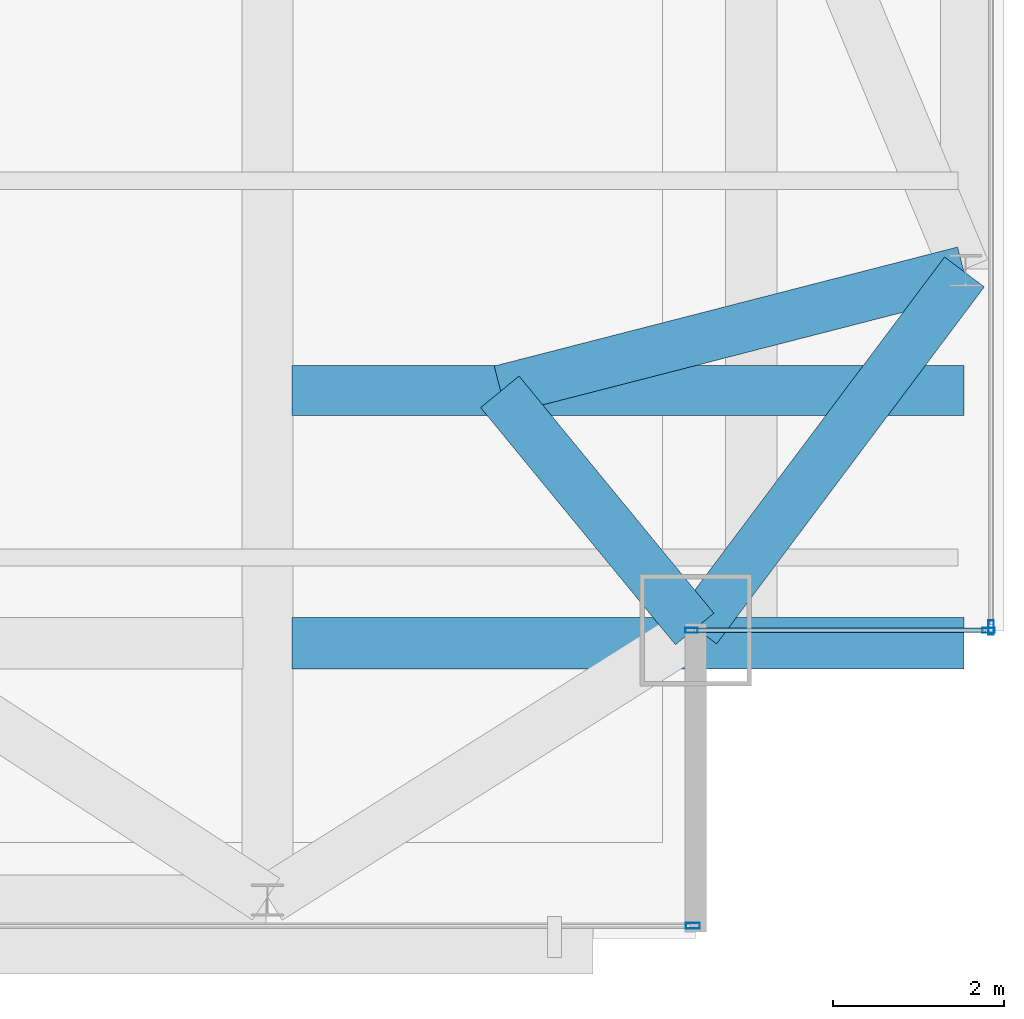
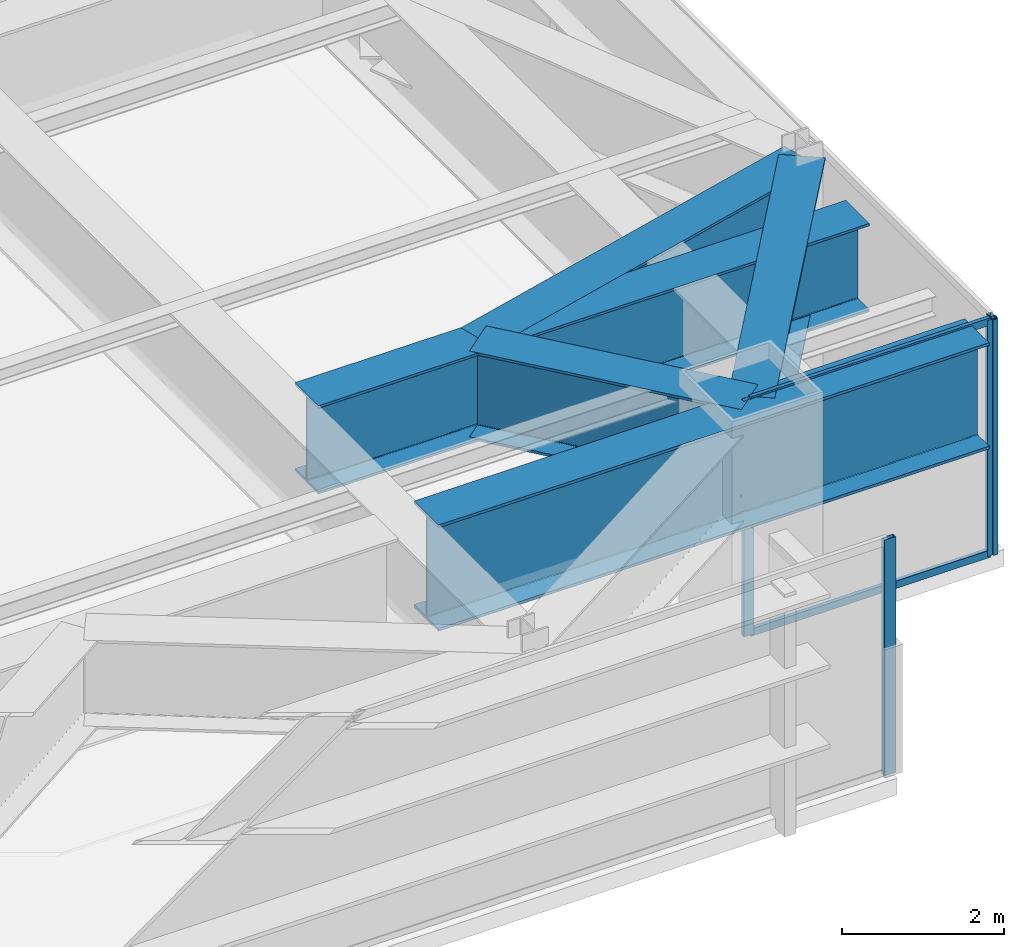
# One storey, part 15 of 26: 6 members, 5 beams, 3 elements without a shape of their own.
"""IFC4 building model written with IfcOpenShell, lengths in metres."""

from ifc_helpers import new_model, si_unit, direction, frame, origin, origin_2d, place, context, subcontext, project, spatial, hollow_rectangle, i_section, extrude, source, transform, mapped, material, layer, layer_set, material_profile, profile_set, type_object, type_shapes, element, aggregate, save


model = new_model("IFC4")

# Units and contexts
model_context = context("Model", 3, precision=1e-05, world=origin(), true_north=direction((0.0, 1.0)))
body_context = subcontext(model_context, "Body", "Model", "MODEL_VIEW")
ifc_project = project(units=[si_unit("LENGTHUNIT", "METRE"), si_unit("AREAUNIT", "SQUARE_METRE"), si_unit("VOLUMEUNIT", "CUBIC_METRE"), si_unit("PLANEANGLEUNIT", "RADIAN"), si_unit("MASSUNIT", "GRAM", prefix="KILO")], contexts=[model_context])

# Site, building, storey
site_placement = place(None, origin())
site = spatial("IfcSite", under=ifc_project, at=site_placement, CompositionType="ELEMENT")
building_placement = place(site_placement, origin())
building = spatial("IfcBuilding", under=site, at=building_placement, Name="Varnel Quay Broadcast Tower", CompositionType="ELEMENT")
storey_placement = place(building_placement, frame((0.0, 0.0, 196.0)))
storey = spatial("IfcBuildingStorey", under=building, at=storey_placement, Name="L48", CompositionType="ELEMENT", Elevation=196.0)

# Beams
ifc_material_1 = material(Name="Structural Steel CSA G40.21 350WT", Category="steel")
ifc_material_profile_1 = material_profile(ifc_material_1, i_section(OverallWidth=0.580078125, OverallDepth=1.330078125, WebThickness=0.02197265625, FlangeThickness=0.0380859375, FilletRadius=0.02001953125, at=origin_2d()), Name="WWF1330X535")
ifc_profile_set_1 = profile_set([ifc_material_profile_1], Name="Structural Steel CSA G40.21 350WT")
beam_type_1 = type_object("IfcBeamType", Name="Girder_WWF1330X535", PredefinedType="BEAM", material=ifc_profile_set_1)
shared_shape_1 = source(origin(), body_context, "Body", "SweptSolid", [
    extrude(i_section(OverallWidth=0.580078125, OverallDepth=1.330078125, WebThickness=0.02197265625, FlangeThickness=0.0380859375, FilletRadius=0.02001953125, at=origin_2d()), origin(), (0.0, 0.0, 1.0), 5.2099609375),
])
beam_1_placement = place(storey_placement, frame((57.412109375, 10.81591796875, 2.885009765625), z_axis=(0.6, 0.8, 0.0), x_axis=(-0.8, 0.6, 0.0)))
element("IfcBeam", 1, at=beam_1_placement, inside=storey, type_object=beam_type_1, Name="L48 East Transfer Spine MC-SE-TC-E1", PredefinedType="BEAM", context=body_context, shape_type="MappedRepresentation", body=[
    mapped(shared_shape_1, transform((0.0, 0.0, 0.0), x_axis=(1.0, 0.0, 0.0), y_axis=(0.0, 1.0, 0.0), z_axis=(0.0, 0.0, 1.0), scale=1.0)),
])
ifc_material_profile_2 = material_profile(ifc_material_1, i_section(OverallWidth=0.60009765625, OverallDepth=1.60009765625, WebThickness=0.02392578125, FlangeThickness=0.0419921875, FilletRadius=0.02197265625, at=origin_2d()), Name="WWF1600X620")
ifc_profile_set_2 = profile_set([ifc_material_profile_2], Name="Structural Steel CSA G40.21 350WT")
beam_type_2 = type_object("IfcBeamType", Name="Girder_WWF1600X620", PredefinedType="BEAM", material=ifc_profile_set_2)
shared_shape_2 = source(origin(), body_context, "Body", "SweptSolid", [
    extrude(i_section(OverallWidth=0.60009765625, OverallDepth=1.60009765625, WebThickness=0.02392578125, FlangeThickness=0.0419921875, FilletRadius=0.02197265625, at=origin_2d()), origin(), (0.0, 0.0, 1.0), 7.844970703125),
])
type_shapes(beam_type_2, [shared_shape_2])
beam_2_placement = place(storey_placement, frame((52.68505859375, 10.64990234375, 2.75), z_axis=(1.0, 0.0, 0.0), x_axis=(0.0, 1.0, 0.0)))
element("IfcBeam", 2, at=beam_2_placement, inside=storey, type_object=beam_type_2, Name="L48 Setback South Transfer Header 6", PredefinedType="BEAM", context=body_context, shape_type="MappedRepresentation", body=[
    mapped(shared_shape_2, transform((0.0, 0.0, 0.0), x_axis=(1.0, 0.0, 0.0), y_axis=(0.0, 1.0, 0.0), z_axis=(0.0, 0.0, 1.0), scale=1.0)),
])
shared_shape_3 = source(origin(), body_context, "Body", "SweptSolid", [
    extrude(i_section(OverallWidth=0.580078125, OverallDepth=1.330078125, WebThickness=0.02197265625, FlangeThickness=0.0380859375, FilletRadius=0.02001953125, at=origin_2d()), origin(), (0.0, 0.0, 1.0), 7.844970703125),
])
beam_3_placement = place(storey_placement, frame((52.68505859375, 13.60009765625, 2.885009765625), z_axis=(1.0, 0.0, 0.0), x_axis=(0.0, 1.0, 0.0)))
element("IfcBeam", 3, at=beam_3_placement, inside=storey, type_object=beam_type_1, Name="L48 Setback Corner South Transfer 6", PredefinedType="BEAM", context=body_context, shape_type="MappedRepresentation", body=[
    mapped(shared_shape_3, transform((0.0, 0.0, 0.0), x_axis=(1.0, 0.0, 0.0), y_axis=(0.0, 1.0, 0.0), z_axis=(0.0, 0.0, 1.0), scale=1.0)),
])
shared_shape_4 = source(origin(), body_context, "Body", "SweptSolid", [
    extrude(i_section(OverallWidth=0.580078125, OverallDepth=1.330078125, WebThickness=0.02197265625, FlangeThickness=0.0380859375, FilletRadius=0.02001953125, at=origin_2d()), origin(), (0.0, 0.0, 1.0), 3.583251953125),
])
beam_4_placement = place(storey_placement, frame((57.38720703125, 10.8154296875, 2.885009765625), z_axis=(-0.634713270454, 0.772747736528, 0.0), x_axis=(-0.772747736528, -0.634713270454, 0.0)))
element("IfcBeam", 4, at=beam_4_placement, inside=storey, type_object=beam_type_1, Name="L48 Nodal Transfer Tie MC-SE-MC-SE", PredefinedType="BEAM", context=body_context, shape_type="MappedRepresentation", body=[
    mapped(shared_shape_4, transform((0.0, 0.0, 0.0), x_axis=(1.0, 0.0, 0.0), y_axis=(0.0, 1.0, 0.0), z_axis=(0.0, 0.0, 1.0), scale=1.0)),
])
shared_shape_5 = source(origin(), body_context, "Body", "SweptSolid", [
    extrude(i_section(OverallWidth=0.580078125, OverallDepth=1.330078125, WebThickness=0.02197265625, FlangeThickness=0.0380859375, FilletRadius=0.02001953125, at=origin_2d()), origin(), (0.0, 0.0, 1.0), 5.5869140625),
])
type_shapes(beam_type_1, [shared_shape_1, shared_shape_3, shared_shape_4, shared_shape_5])
beam_5_placement = place(storey_placement, frame((60.530517578125, 14.9951171875, 2.885009765625), z_axis=(-0.968548920696, -0.248823206752, 0.0), x_axis=(0.248823206752, -0.968548920696, 0.0)))
element("IfcBeam", 5, at=beam_5_placement, inside=storey, type_object=beam_type_1, Name="L48 Nodal Transfer Tie MC-SE-TC-E1", PredefinedType="BEAM", context=body_context, shape_type="MappedRepresentation", body=[
    mapped(shared_shape_5, transform((0.0, 0.0, 0.0), x_axis=(1.0, 0.0, 0.0), y_axis=(0.0, 1.0, 0.0), z_axis=(0.0, 0.0, 1.0), scale=1.0)),
])

# Curtain wall, members
ifc_material_2 = material(Name="Anodised Bronze Aluminium 6063-T6", Category="aluminium")
ifc_layer_1 = layer(ifc_material_2, 0.18994140625, Name="Anodised Bronze Aluminium 6063-T6")
ifc_layer_set_1 = layer_set([ifc_layer_1], Name="Anodised Bronze Aluminium 6063-T6")
curtain_wall_type_1 = type_object("IfcCurtainWallType", Name="CW_NotchCorner", PredefinedType="NOTDEFINED", material=ifc_layer_set_1)
curtain_wall_1_placement = place(storey_placement, origin())
curtain_wall_1 = element("IfcCurtainWall", 6, at=curtain_wall_1_placement, inside=storey, type_object=curtain_wall_type_1, Name="L48 SE Notch Curtain Wall", PredefinedType="NOTDEFINED")
ifc_material_profile_3 = material_profile(ifc_material_2, hollow_rectangle(XDim=0.054931640625, YDim=0.110107421875, WallThickness=0.0029296875, at=origin_2d()), Name="ALU55X110X3")
ifc_profile_set_3 = profile_set([ifc_material_profile_3], Name="Anodised Bronze Aluminium 6063-T6")
member_type_1 = type_object("IfcMemberType", Name="Tran_CWS-04", PredefinedType="USERDEFINED", material=ifc_profile_set_3)
shared_shape_6 = source(origin(), body_context, "Body", "SweptSolid", [
    extrude(hollow_rectangle(XDim=0.054931640625, YDim=0.110107421875, WallThickness=0.0029296875, at=origin_2d()), origin(), (0.0, 0.0, 1.0), 3.41015625),
])
type_shapes(member_type_1, [shared_shape_6])
member_1_placement = place(storey_placement, frame((57.3798828125, 10.800048828125, 0.027587890625), z_axis=(1.0, 0.0, 0.0), x_axis=(0.0, 1.0, 0.0)))
member_1 = element("IfcMember", 7, at=member_1_placement, type_object=member_type_1, Name="CWS-04 transom 1.1", ObjectType="TRANSOM", PredefinedType="USERDEFINED", context=body_context, shape_type="MappedRepresentation", body=[
    mapped(shared_shape_6, transform((0.0, 0.0, 0.0), x_axis=(1.0, 0.0, 0.0), y_axis=(0.0, 1.0, 0.0), z_axis=(0.0, 0.0, 1.0), scale=1.0)),
])
member_2_placement = place(storey_placement, frame((57.3798828125, 10.800048828125, 3.5224609375), z_axis=(1.0, 0.0, 0.0), x_axis=(0.0, 1.0, 0.0)))
member_2 = element("IfcMember", 8, at=member_2_placement, type_object=member_type_1, Name="CWS-04 transom 1.2", ObjectType="TRANSOM", PredefinedType="USERDEFINED", context=body_context, shape_type="MappedRepresentation", body=[
    mapped(shared_shape_6, transform((0.0, 0.0, 0.0), x_axis=(1.0, 0.0, 0.0), y_axis=(0.0, 1.0, 0.0), z_axis=(0.0, 0.0, 1.0), scale=1.0)),
])
ifc_material_profile_4 = material_profile(ifc_material_2, hollow_rectangle(XDim=0.06005859375, YDim=0.14501953125, WallThickness=0.00341796875, at=origin_2d()), Name="ALU60X145X3.5")
ifc_profile_set_4 = profile_set([ifc_material_profile_4], Name="Anodised Bronze Aluminium 6063-T6")
member_type_2 = type_object("IfcMemberType", Name="Mull_CWS-04", PredefinedType="MULLION", material=ifc_profile_set_4)
shared_shape_7 = source(origin(), body_context, "Body", "SweptSolid", [
    extrude(hollow_rectangle(XDim=0.06005859375, YDim=0.14501953125, WallThickness=0.00341796875, at=origin_2d()), origin(), (0.0, 0.0, 1.0), 3.550048828125),
])
type_shapes(member_type_2, [shared_shape_7])
member_3_placement = place(storey_placement, frame((57.35009765625, 10.800048828125, 0.0), z_axis=(0.0, 0.0, 1.0), x_axis=(0.0, 1.0, 0.0)))
member_3 = element("IfcMember", 9, at=member_3_placement, type_object=member_type_2, Name="CWS-04 mullion 1", PredefinedType="MULLION", context=body_context, shape_type="MappedRepresentation", body=[
    mapped(shared_shape_7, transform((0.0, 0.0, 0.0), x_axis=(1.0, 0.0, 0.0), y_axis=(0.0, 1.0, 0.0), z_axis=(0.0, 0.0, 1.0), scale=1.0)),
])
member_4_placement = place(storey_placement, frame((60.820068359375, 10.800048828125, 0.0), z_axis=(0.0, 0.0, 1.0), x_axis=(0.0, 1.0, 0.0)))
member_4 = element("IfcMember", 10, at=member_4_placement, type_object=member_type_2, Name="CWS-04 mullion 2", PredefinedType="MULLION", context=body_context, shape_type="MappedRepresentation", body=[
    mapped(shared_shape_7, transform((0.0, 0.0, 0.0), x_axis=(1.0, 0.0, 0.0), y_axis=(0.0, 1.0, 0.0), z_axis=(0.0, 0.0, 1.0), scale=1.0)),
])
aggregate(curtain_wall_1, [member_3, member_4, member_1, member_2])

# Curtain wall, member
ifc_layer_2 = layer(ifc_material_2, 0.18994140625, Name="Anodised Bronze Aluminium 6063-T6")
ifc_layer_set_2 = layer_set([ifc_layer_2], Name="Anodised Bronze Aluminium 6063-T6")
curtain_wall_type_2 = type_object("IfcCurtainWallType", Name="CW_UpperTower", PredefinedType="NOTDEFINED", material=ifc_layer_set_2)
curtain_wall_2_placement = place(storey_placement, origin())
curtain_wall_2 = element("IfcCurtainWall", 11, at=curtain_wall_2_placement, inside=storey, type_object=curtain_wall_type_2, Name="L48 South Unitised Curtain Wall 1", PredefinedType="NOTDEFINED")
ifc_material_profile_5 = material_profile(ifc_material_2, hollow_rectangle(XDim=0.06494140625, YDim=0.1650390625, WallThickness=0.00341796875, at=origin_2d()), Name="ALU65X165X3.5")
ifc_profile_set_5 = profile_set([ifc_material_profile_5], Name="Anodised Bronze Aluminium 6063-T6")
member_type_3 = type_object("IfcMemberType", Name="Mull_CWS-03", PredefinedType="MULLION", material=ifc_profile_set_5)
shared_shape_8 = source(origin(), body_context, "Body", "SweptSolid", [
    extrude(hollow_rectangle(XDim=0.06494140625, YDim=0.1650390625, WallThickness=0.00341796875, at=origin_2d()), origin(), (0.0, 0.0, 1.0), 3.550048828125),
])
type_shapes(member_type_3, [shared_shape_8])
member_5_placement = place(storey_placement, frame((57.367431640625, 7.35009765625, 0.0), z_axis=(0.0, 0.0, 1.0), x_axis=(0.0, 1.0, 0.0)))
member_5 = element("IfcMember", 12, at=member_5_placement, type_object=member_type_3, Name="CWS-03 mullion 5", PredefinedType="MULLION", context=body_context, shape_type="MappedRepresentation", body=[
    mapped(shared_shape_8, transform((0.0, 0.0, 0.0), x_axis=(1.0, 0.0, 0.0), y_axis=(0.0, 1.0, 0.0), z_axis=(0.0, 0.0, 1.0), scale=1.0)),
])
aggregate(curtain_wall_2, [member_5])

curtain_wall_3_placement = place(storey_placement, origin())
curtain_wall_3 = element("IfcCurtainWall", 13, at=curtain_wall_3_placement, inside=storey, type_object=curtain_wall_type_2, Name="L48 East Unitised Curtain Wall", PredefinedType="NOTDEFINED")
member_6_placement = place(storey_placement, frame((60.85009765625, 10.83251953125, 0.0), z_axis=(0.0, 0.0, 1.0), x_axis=(-1.0, 0.0, 0.0)))
member_6 = element("IfcMember", 14, at=member_6_placement, type_object=member_type_3, Name="CWS-03 mullion 1", PredefinedType="MULLION", context=body_context, shape_type="MappedRepresentation", body=[
    mapped(shared_shape_8, transform((0.0, 0.0, 0.0), x_axis=(1.0, 0.0, 0.0), y_axis=(0.0, 1.0, 0.0), z_axis=(0.0, 0.0, 1.0), scale=1.0)),
])
aggregate(curtain_wall_3, [member_6])

save(model, "model.ifc")
